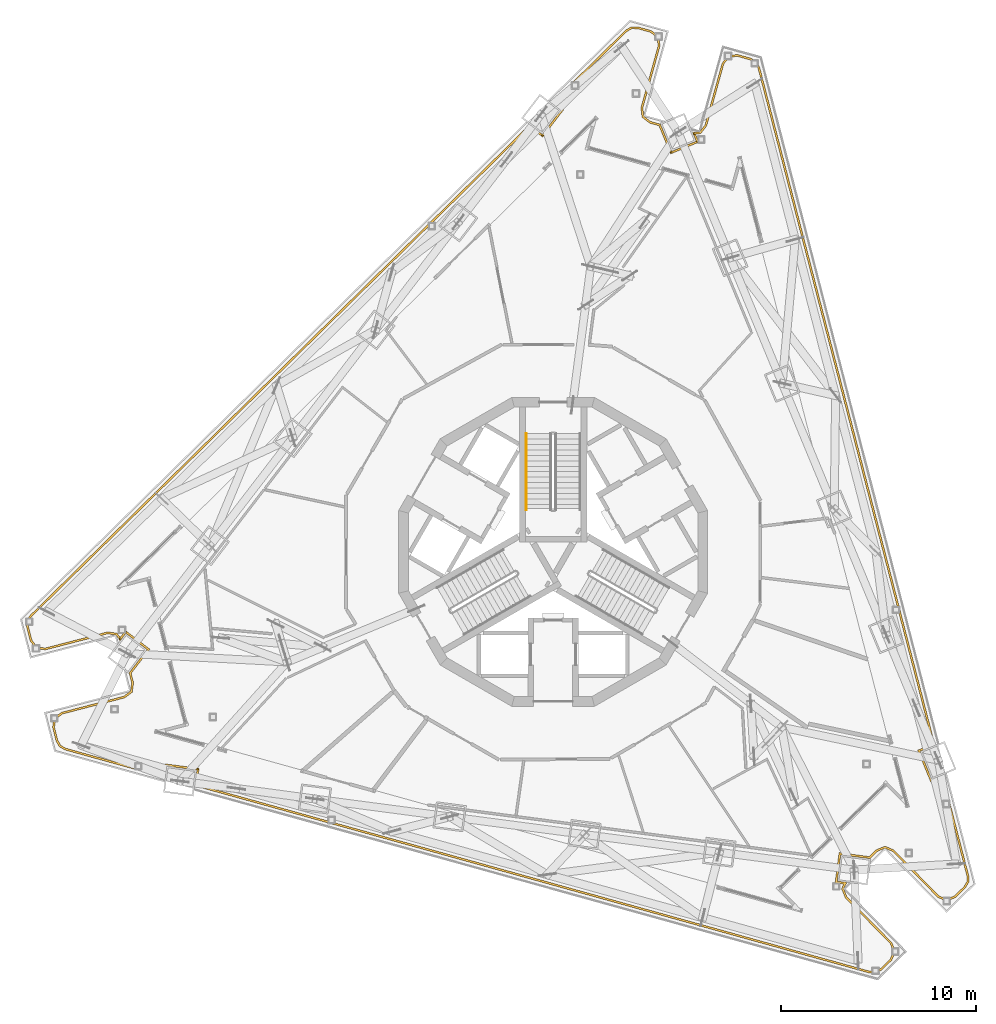
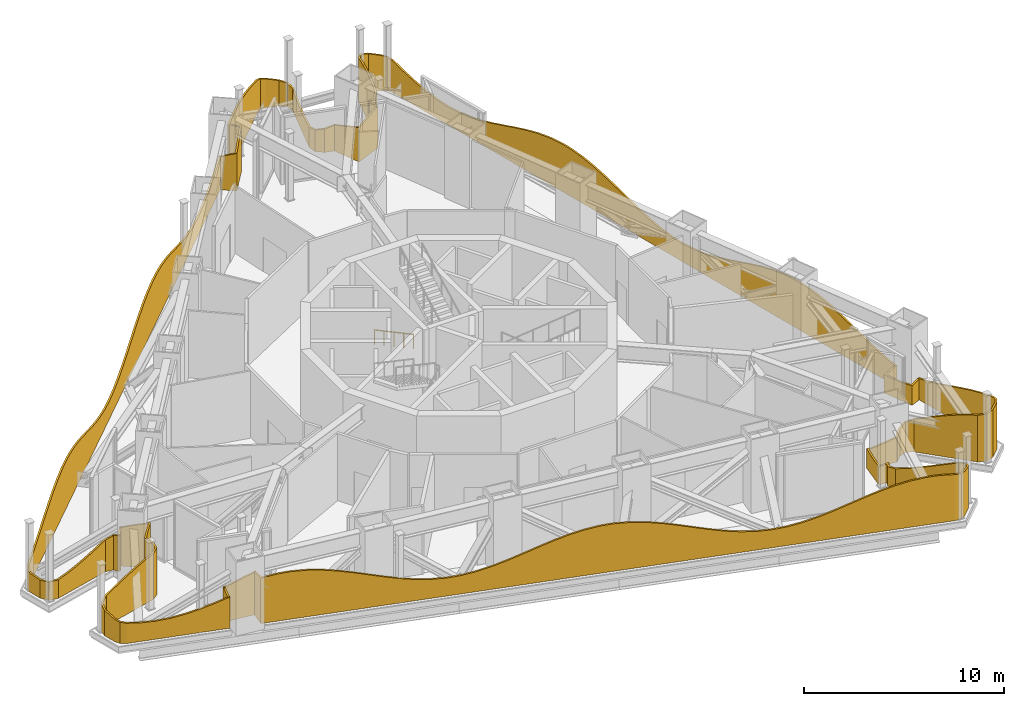
# One storey, part 19 of 22: 2 railings.
"""IFC4 building model written with IfcOpenShell, lengths in metres."""

from ifc_helpers import new_model, si_unit, direction, frame, origin, origin_2d, place, context, subcontext, project, spatial, polyline, circle, outline, extrude, material, layer, layer_set, type_object, element, save


model = new_model("IFC4")

# Units and contexts
model_context = context("Model", 3, precision=1e-05, world=origin(), true_north=direction((0.0, 1.0)))
body_context = subcontext(model_context, "Body", "Model", "MODEL_VIEW")
ifc_project = project(units=[si_unit("LENGTHUNIT", "METRE"), si_unit("AREAUNIT", "SQUARE_METRE"), si_unit("VOLUMEUNIT", "CUBIC_METRE"), si_unit("PLANEANGLEUNIT", "RADIAN"), si_unit("MASSUNIT", "GRAM", prefix="KILO")], contexts=[model_context])

# Site, building, storey
site_placement = place(None, origin())
site = spatial("IfcSite", under=ifc_project, at=site_placement, CompositionType="ELEMENT")
building_placement = place(site_placement, origin())
building = spatial("IfcBuilding", under=site, at=building_placement, Name="Trine Commons Tower", CompositionType="ELEMENT")
storey_placement = place(building_placement, frame((0.0, 0.0, 267.300048828125)))
storey = spatial("IfcBuildingStorey", under=building, at=storey_placement, Name="L70", CompositionType="ELEMENT", Elevation=267.300048828125)

# Railings
ifc_material_1 = material(Name="Stainless steel handrail", Category="steel")
railing_type_1 = type_object("IfcRailingType", Name="Stair handrail, steel 900", PredefinedType="HANDRAIL", material=ifc_material_1)
railing_1_placement = place(storey_placement, frame((78.625, 68.570556640625, 0.14990234375)))
element("IfcRailing", 1, at=railing_1_placement, inside=storey, type_object=railing_type_1, Name="L70 ST1D stair handrail 1", PredefinedType="HANDRAIL", context=body_context, shape_type="SweptSolid", body=[
    extrude(circle(Radius=0.02099609375, at=origin_2d()), frame((0.0, 0.0, 0.87890625), z_axis=(0.0, -0.881466911329, 0.472245787945), x_axis=(1.0, 0.0, 0.0)), (0.0, 0.0, 1.0), 4.447021484375),
    extrude(circle(Radius=0.01513671875, at=origin_2d()), origin(), (0.0, 0.0, 1.0), 0.85791015625),
    extrude(circle(Radius=0.01513671875, at=origin_2d()), frame((0.0, -0.97998046875, 0.52490234375)), (0.0, 0.0, 1.0), 0.85791015625),
    extrude(circle(Radius=0.01513671875, at=origin_2d()), frame((0.0, -1.9599609375, 1.050048828125)), (0.0, 0.0, 1.0), 0.85791015625),
    extrude(circle(Radius=0.01513671875, at=origin_2d()), frame((0.0, -2.93994140625, 1.5751953125)), (0.0, 0.0, 1.0), 0.85791015625),
    extrude(circle(Radius=0.01513671875, at=origin_2d()), frame((0.0, -3.919921875, 2.10009765625)), (0.0, 0.0, 1.0), 0.85791015625),
])
ifc_material_2 = material(Name="White powder-coated aluminium", Category="aluminium")
ifc_layer = layer(ifc_material_2, 0.10009765625)
ifc_layer_set = layer_set([ifc_layer], Name="White powder-coated aluminium")
railing_type_2 = type_object("IfcRailingType", Name="White balustrade band 100", PredefinedType="GUARDRAIL", material=ifc_layer_set)
railing_2_placement = place(storey_placement, origin())
element("IfcRailing", 2, at=railing_2_placement, inside=storey, type_object=railing_type_2, Name="Guard band L70", PredefinedType="GUARDRAIL", context=body_context, shape_type="SweptSolid", body=[
    extrude(outline(polyline([(0.0, 0.0), (0.928955078125, 0.0), (0.92919921875, 2.588623046875), (0.464599609375, 2.6982421875), (0.0, 2.786865234375), (0.0, 0.0)])), frame((61.629150390625, 50.49462890625, 0.0), z_axis=(0.991469493922, -0.130338952819, 0.0), x_axis=(0.130338952819, 0.991469493922, 0.0)), (0.0, 0.0, 1.0), 0.10009765625),
    extrude(outline(polyline([(0.0, 0.0), (1.771484375, 0.0), (1.771240234375, 2.07373046875), (1.180908203125, 2.270263671875), (0.59033203125, 2.453369140625), (0.0, 2.6142578125), (0.0, 0.0)])), frame((61.8369140625, 51.302734375, 0.0), z_axis=(0.130511552519, 0.991446788617, 0.0), x_axis=(-0.991446788617, 0.130511552519, 0.0)), (0.0, 0.0, 1.0), 0.10009765625),
    extrude(outline(polyline([(0.0, 0.0), (0.708984375, 0.0), (0.708984375, 1.86767578125), (0.0, 2.108154296875), (0.0, 0.0)])), frame((60.19384765625, 51.62060546875, 0.0), z_axis=(-0.991446088674, 0.13051686961, 0.0), x_axis=(-0.13051686961, -0.991446088674, 0.0)), (0.0, 0.0, 1.0), 0.10009765625),
    extrude(outline(polyline([(0.0, 0.0), (5.33837890625, 0.0), (5.33837890625, 1.232177734375), (4.57568359375, 1.13037109375), (3.88525390625, 1.099853515625), (3.81298828125, 1.100341796875), (3.050537109375, 1.144287109375), (2.287841796875, 1.2587890625), (1.525390625, 1.4345703125), (0.7626953125, 1.65673828125), (0.0, 1.9072265625), (0.0, 0.0)])), frame((60.10205078125, 50.91845703125, 0.0), z_axis=(0.267216910431, 0.963636405902, 0.0), x_axis=(-0.963636405902, 0.267216910431, 0.0)), (0.0, 0.0, 1.0), 0.10009765625),
    extrude(outline(polyline([(0.0, 0.0), (0.332763671875, 0.0), (0.332763671875, 1.2939453125), (0.0, 1.2294921875), (0.0, 0.0)])), frame((54.959716796875, 52.34423828125, 0.0), z_axis=(0.507789565516, 0.861481141496, 0.0), x_axis=(-0.861481141496, 0.507789565516, 0.0)), (0.0, 0.0, 1.0), 0.10009765625),
    extrude(outline(polyline([(0.0, 0.0), (0.33203125, 0.0), (0.332275390625, 1.3623046875), (0.0, 1.287841796875), (0.0, 0.0)])), frame((54.67431640625, 52.512451171875, 0.0), z_axis=(0.870316303932, 0.492493178745, 0.0), x_axis=(-0.492493178745, 0.870316303932, 0.0)), (0.0, 0.0, 1.0), 0.10009765625),
    extrude(outline(polyline([(0.0, 0.0), (0.720458984375, 0.0), (0.720703125, 1.55224609375), (0.0, 1.358642578125), (0.0, 0.0)])), frame((54.511474609375, 52.800048828125, 0.0), z_axis=(0.968136997001, 0.250421155332, 0.0), x_axis=(-0.250421155332, 0.968136997001, 0.0)), (0.0, 0.0, 1.0), 0.10009765625),
    extrude(outline(polyline([(0.0, 0.0), (0.491455078125, 0.0), (0.4912109375, 1.69677734375), (0.0, 1.545654296875), (0.0, 0.0)])), frame((54.331298828125, 53.49560546875, 0.0), z_axis=(0.990274770547, -0.1391254068, 0.0), x_axis=(0.1391254068, 0.990274770547, 0.0)), (0.0, 0.0, 1.0), 0.10009765625),
    extrude(outline(polyline([(0.0, 0.0), (0.49169921875, 0.0), (0.491455078125, 1.843994140625), (0.0, 1.68310546875), (0.0, 0.0)])), frame((54.39892578125, 53.98095703125, 0.0), z_axis=(0.601905322033, -0.798567456955, 0.0), x_axis=(0.798567456955, 0.601905322033, 0.0)), (0.0, 0.0, 1.0), 0.10009765625),
    extrude(outline(polyline([(0.0, 0.0), (3.321533203125, 0.0), (3.32177734375, 2.79052734375), (2.657470703125, 2.658935546875), (1.992919921875, 2.486083984375), (1.32861328125, 2.28271484375), (0.664306640625, 2.061767578125), (0.0, 1.8369140625), (0.0, 0.0)])), frame((54.7900390625, 54.27587890625, 0.0), z_axis=(0.250344811723, -0.968156741051, 0.0), x_axis=(0.968156741051, 0.250344811723, 0.0)), (0.0, 0.0, 1.0), 0.10009765625),
    extrude(outline(polyline([(0.0, 0.0), (0.491455078125, 0.0), (0.491455078125, 2.85400390625), (0.0, 2.786865234375), (0.0, 0.0)])), frame((57.969482421875, 55.09033203125, 0.0), z_axis=(0.601588479478, -0.798806172585, 0.0), x_axis=(0.798806172585, 0.601588479478, 0.0)), (0.0, 0.0, 1.0), 0.10009765625),
    extrude(outline(polyline([(0.0, 0.0), (0.491455078125, 0.0), (0.491455078125, 2.8896484375), (0.0, 2.849365234375), (0.0, 0.0)])), frame((58.322021484375, 55.319091796875, 0.0), z_axis=(0.990274770547, -0.1391254068, 0.0), x_axis=(0.1391254068, 0.990274770547, 0.0)), (0.0, 0.0, 1.0), 0.10009765625),
    extrude(outline(polyline([(0.0, 0.0), (0.546875, 0.0), (0.546875, 2.89892578125), (0.422607421875, 2.89990234375), (0.0, 2.888671875), (0.0, 0.0)])), frame((58.392822265625, 55.764892578125, 0.0), z_axis=(0.968141314847, 0.250404461793, 0.0), x_axis=(-0.250404461793, 0.968141314847, 0.0)), (0.0, 0.0, 1.0), 0.10009765625),
    extrude(outline(polyline([(0.0, 0.0), (1.616455078125, 0.0), (1.616455078125, 2.72265625), (1.07763671875, 2.816162109375), (0.538818359375, 2.8759765625), (0.0, 2.899658203125), (0.0, 0.0)])), frame((58.255615234375, 56.29248046875, 0.0), z_axis=(0.793409408461, -0.608688352579, 0.0), x_axis=(0.608688352579, 0.793409408461, 0.0)), (0.0, 0.0, 1.0), 0.10009765625),
    extrude(outline(polyline([(0.0, 0.0), (1.571533203125, 0.0), (1.571533203125, 2.331787109375), (0.785888671875, 2.561767578125), (0.0, 2.742919921875), (0.0, 0.0)])), frame((59.2578125, 57.432861328125, 0.0), z_axis=(0.608786954786, 0.793333753021, 0.0), x_axis=(-0.793333753021, 0.608786954786, 0.0)), (0.0, 0.0, 1.0), 0.10009765625),
    extrude(outline(polyline([(0.0, 0.0), (0.578369140625, 0.0), (0.578369140625, 2.17626953125), (0.0, 2.363525390625), (0.0, 0.0)])), frame((58.15234375, 58.408203125, 0.0), z_axis=(-0.793470479342, 0.608608740006, 0.0), x_axis=(-0.608608740006, -0.793470479342, 0.0)), (0.0, 0.0, 1.0), 0.10009765625),
    extrude(outline(polyline([(0.0, 0.0), (0.40283203125, 0.0), (0.403076171875, 2.08544921875), (0.0, 2.220458984375), (0.0, 0.0)])), frame((57.80078125, 57.94970703125, 0.0), z_axis=(0.7986891672, 0.6017438111, 0.0), x_axis=(-0.6017438111, 0.7986891672, 0.0)), (0.0, 0.0, 1.0), 0.10009765625),
    extrude(outline(polyline([(0.0, 0.0), (0.491943359375, 0.0), (0.49169921875, 1.933349609375), (0.0, 2.10009765625), (0.0, 0.0)])), frame((57.625732421875, 58.231689453125, 0.0), z_axis=(0.138988628372, 0.990293977152, 0.0), x_axis=(-0.990293977152, 0.138988628372, 0.0)), (0.0, 0.0, 1.0), 0.10009765625),
    extrude(outline(polyline([(0.0, 0.0), (3.32177734375, 0.0), (3.32177734375, 1.1279296875), (2.657470703125, 1.21044921875), (1.9931640625, 1.342529296875), (1.32861328125, 1.515869140625), (0.664306640625, 1.719482421875), (0.0, 1.9404296875), (0.0, 0.0)])), frame((57.179443359375, 58.302490234375, 0.0), z_axis=(-0.250326998261, 0.96816134706, 0.0), x_axis=(-0.96816134706, -0.250326998261, 0.0)), (0.0, 0.0, 1.0), 0.10009765625),
    extrude(outline(polyline([(0.0, 0.0), (0.4921875, 0.0), (0.491943359375, 1.102294921875), (0.0, 1.1298828125), (0.0, 0.0)])), frame((53.96533203125, 57.470947265625, 0.0), z_axis=(0.139406857664, 0.990235188244, 0.0), x_axis=(-0.990235188244, 0.139406857664, 0.0)), (0.0, 0.0, 1.0), 0.10009765625),
    extrude(outline(polyline([(0.0, 0.0), (0.49169921875, 0.0), (0.49169921875, 1.104248046875), (0.235107421875, 1.099853515625), (0.0, 1.103515625), (0.0, 0.0)])), frame((53.4794921875, 57.5390625, 0.0), z_axis=(0.798567456955, 0.601905322033, 0.0), x_axis=(-0.601905322033, 0.798567456955, 0.0)), (0.0, 0.0, 1.0), 0.10009765625),
    extrude(outline(polyline([(0.0, 0.0), (0.719970703125, 0.0), (0.719970703125, 1.157958984375), (0.0, 1.103515625), (0.0, 0.0)])), frame((53.184814453125, 57.929931640625, 0.0), z_axis=(0.968176668381, 0.250267734243, 0.0), x_axis=(-0.250267734243, 0.968176668381, 0.0)), (0.0, 0.0, 1.0), 0.10009765625),
    extrude(outline(polyline([(0.0, 0.0), (0.33203125, 0.0), (0.33203125, 1.201904296875), (0.0, 1.156005859375), (0.0, 0.0)])), frame((53.004638671875, 58.625732421875, 0.0), z_axis=(0.999961074937, -0.008823185955, 0.0), x_axis=(0.008823185955, 0.999961074937, 0.0)), (0.0, 0.0, 1.0), 0.10009765625),
    extrude(outline(polyline([(0.0, 0.0), (0.33203125, 0.0), (0.332275390625, 1.254638671875), (0.0, 1.197509765625), (0.0, 0.0)])), frame((53.007080078125, 58.956298828125, 0.0), z_axis=(0.86174513793, -0.507341420795, 0.0), x_axis=(0.507341420795, 0.86174513793, 0.0)), (0.0, 0.0, 1.0), 0.10009765625),
    extrude(outline(polyline([(0.0, 0.0), (35.9130859375, 0.0), (35.9130859375, 2.01513671875), (35.114990234375, 1.747314453125), (34.31689453125, 1.502197265625), (33.518798828125, 1.302001953125), (32.720703125, 1.164794921875), (31.922607421875, 1.102783203125), (31.709716796875, 1.099853515625), (31.124755859375, 1.121826171875), (30.32666015625, 1.219970703125), (29.528564453125, 1.388427734375), (28.73046875, 1.612060546875), (27.932373046875, 1.87060546875), (27.13427734375, 2.140869140625), (26.336181640625, 2.3984375), (25.5380859375, 2.6201171875), (24.739990234375, 2.78564453125), (23.942138671875, 2.880615234375), (23.39208984375, 2.89990234375), (23.14404296875, 2.89599609375), (22.345947265625, 2.83056640625), (21.5478515625, 2.6904296875), (20.749755859375, 2.48779296875), (19.95166015625, 2.2412109375), (19.153564453125, 1.972900390625), (18.355712890625, 1.70703125), (17.5576171875, 1.467529296875), (16.759521484375, 1.276123046875), (15.96142578125, 1.14990234375), (15.163330078125, 1.100341796875), (15.074462890625, 1.099853515625), (14.365234375, 1.132080078125), (13.567138671875, 1.241943359375), (12.76904296875, 1.420166015625), (11.970947265625, 1.650634765625), (11.173095703125, 1.91259765625), (10.375, 2.182373046875), (9.576904296875, 2.435791015625), (8.77880859375, 2.64990234375), (7.980712890625, 2.805419921875), (7.1826171875, 2.888427734375), (6.756591796875, 2.89990234375), (6.384521484375, 2.89111328125), (5.58642578125, 2.8134765625), (4.788330078125, 2.662353515625), (3.990234375, 2.45166015625), (3.1923828125, 2.2001953125), (2.394287109375, 1.9306640625), (1.59619140625, 1.66748046875), (0.798095703125, 1.43408203125), (0.0, 1.251953125), (0.0, 0.0)])), frame((53.174560546875, 59.240966796875, 0.0), z_axis=(0.700910598714, -0.713249137827, 0.0), x_axis=(0.713249137827, 0.700910598714, 0.0)), (0.0, 0.0, 1.0), 0.10009765625),
    extrude(outline(polyline([(0.0, 0.0), (0.9296875, 0.0), (0.929443359375, 2.29541015625), (0.46484375, 2.142333984375), (0.0, 1.985107421875), (0.0, 0.0)])), frame((78.78857421875, 84.41259765625, 0.0), z_axis=(-0.608745753992, -0.793365367908, 0.0), x_axis=(0.793365367908, -0.608745753992, 0.0)), (0.0, 0.0, 1.0), 0.10009765625),
    extrude(outline(polyline([(0.0, 0.0), (1.771728515625, 0.0), (1.771728515625, 2.739990234375), (1.18115234375, 2.6083984375), (0.590576171875, 2.446533203125), (0.0, 2.2626953125), (0.0, 0.0)])), frame((79.384521484375, 83.828369140625, 0.0), z_axis=(0.793437772433, -0.608651379097, 0.0), x_axis=(0.608651379097, 0.793437772433, 0.0)), (0.0, 0.0, 1.0), 0.10009765625),
    extrude(outline(polyline([(0.0, 0.0), (0.708984375, 0.0), (0.709228515625, 2.837158203125), (0.0, 2.7197265625), (0.0, 0.0)])), frame((80.481201171875, 85.09228515625, 0.0), z_axis=(0.608778467774, 0.793340265696, 0.0), x_axis=(-0.793340265696, 0.608778467774, 0.0)), (0.0, 0.0, 1.0), 0.10009765625),
    extrude(outline(polyline([(0.0, 0.0), (5.338134765625, 0.0), (5.337890625, 1.977294921875), (4.575439453125, 2.23388671875), (3.812744140625, 2.47119140625), (3.05029296875, 2.66943359375), (2.28759765625, 2.812744140625), (1.525146484375, 2.88916015625), (1.11279296875, 2.89990234375), (0.7626953125, 2.89208984375), (0.0, 2.821533203125), (0.0, 0.0)])), frame((79.9189453125, 85.522705078125, 0.0), z_axis=(0.700905452706, -0.713254194777, 0.0), x_axis=(0.713254194777, 0.700905452706, 0.0)), (0.0, 0.0, 1.0), 0.10009765625),
    extrude(outline(polyline([(0.0, 0.0), (0.332275390625, 0.0), (0.332275390625, 1.869873046875), (0.0, 1.982421875), (0.0, 0.0)])), frame((83.72509765625, 89.26318359375, 0.0), z_axis=(0.492178281084, -0.870494422515, 0.0), x_axis=(0.870494422515, 0.492178281084, 0.0)), (0.0, 0.0, 1.0), 0.10009765625),
    extrude(outline(polyline([(0.0, 0.0), (0.33203125, 0.0), (0.331787109375, 1.768798828125), (0.0, 1.87939453125), (0.0, 0.0)])), frame((84.01318359375, 89.426513671875, 0.0), z_axis=(-0.008823185955, -0.999961074937, 0.0), x_axis=(0.999961074937, -0.008823185955, 0.0)), (0.0, 0.0, 1.0), 0.10009765625),
    extrude(outline(polyline([(0.0, 0.0), (0.72021484375, 0.0), (0.72021484375, 1.5478515625), (0.0, 1.7734375), (0.0, 0.0)])), frame((84.34375, 89.423828125, 0.0), z_axis=(-0.267101871119, -0.963668298973, 0.0), x_axis=(0.963668298973, -0.267101871119, 0.0)), (0.0, 0.0, 1.0), 0.10009765625),
    extrude(outline(polyline([(0.0, 0.0), (0.491455078125, 0.0), (0.49169921875, 1.41748046875), (0.0, 1.55419921875), (0.0, 0.0)])), frame((85.036376953125, 89.23193359375, 0.0), z_axis=(-0.615383772135, -0.788227640338, 0.0), x_axis=(0.788227640338, -0.615383772135, 0.0)), (0.0, 0.0, 1.0), 0.10009765625),
    extrude(outline(polyline([(0.0, 0.0), (0.491943359375, 0.0), (0.491943359375, 1.31005859375), (0.0, 1.428955078125), (0.0, 0.0)])), frame((85.4228515625, 88.9306640625, 0.0), z_axis=(-0.992580278002, -0.121591084055, 0.0), x_axis=(0.121591084055, -0.992580278002, 0.0)), (0.0, 0.0, 1.0), 0.10009765625),
    extrude(outline(polyline([(0.0, 0.0), (3.322265625, 0.0), (3.322265625, 1.232177734375), (2.65771484375, 1.1396484375), (1.993408203125, 1.100830078125), (1.86865234375, 1.099853515625), (1.328857421875, 1.11865234375), (0.664306640625, 1.19140625), (0.0, 1.31494140625), (0.0, 0.0)])), frame((85.48291015625, 88.444580078125, 0.0), z_axis=(-0.963640988559, 0.267200383924, 0.0), x_axis=(-0.267200383924, -0.963640988559, 0.0)), (0.0, 0.0, 1.0), 0.10009765625),
    extrude(outline(polyline([(0.0, 0.0), (0.4912109375, 0.0), (0.490966796875, 1.3271484375), (0.0, 1.228271484375), (0.0, 0.0)])), frame((84.59814453125, 85.283935546875, 0.0), z_axis=(-0.992558217068, -0.121771038148, 0.0), x_axis=(0.121771038148, -0.992558217068, 0.0)), (0.0, 0.0, 1.0), 0.10009765625),
    extrude(outline(polyline([(0.0, 0.0), (0.4912109375, 0.0), (0.4912109375, 1.4375), (0.0, 1.3173828125), (0.0, 0.0)])), frame((84.619873046875, 84.8642578125, 0.0), z_axis=(-0.615316055121, -0.788280503571, 0.0), x_axis=(0.788280503571, -0.615316055121, 0.0)), (0.0, 0.0, 1.0), 0.10009765625),
    extrude(outline(polyline([(0.0, 0.0), (0.54638671875, 0.0), (0.546630859375, 1.5869140625), (0.0, 1.431884765625), (0.0, 0.0)])), frame((84.970947265625, 84.580078125, 0.0), z_axis=(-0.267159951292, -0.96365219889, 0.0), x_axis=(0.96365219889, -0.267159951292, 0.0)), (0.0, 0.0, 1.0), 0.10009765625),
    extrude(outline(polyline([(0.0, 0.0), (1.615966796875, 0.0), (1.615966796875, 2.102783203125), (1.077392578125, 1.920166015625), (0.538818359375, 1.740478515625), (0.0, 1.57177734375), (0.0, 0.0)])), frame((85.496337890625, 84.434814453125, 0.0), z_axis=(-0.923875041969, -0.382694273313, 0.0), x_axis=(0.382694273313, -0.923875041969, 0.0)), (0.0, 0.0, 1.0), 0.10009765625),
    extrude(outline(polyline([(0.0, 0.0), (1.57177734375, 0.0), (1.572021484375, 2.558837890625), (0.785888671875, 2.327880859375), (0.0, 2.068359375), (0.0, 0.0)])), frame((85.983154296875, 82.99658203125, 0.0), z_axis=(0.382717601325, -0.923865378524, 0.0), x_axis=(0.923865378524, 0.382717601325, 0.0)), (0.0, 0.0, 1.0), 0.10009765625),
    extrude(outline(polyline([(0.0, 0.0), (0.57861328125, 0.0), (0.57861328125, 2.67626953125), (0.0, 2.53125), (0.0, 0.0)])), frame((87.38037109375, 83.466796875, 0.0), z_axis=(0.923898578583, 0.382637447843, 0.0), x_axis=(-0.382637447843, 0.923898578583, 0.0)), (0.0, 0.0, 1.0), 0.10009765625),
    extrude(outline(polyline([(0.0, 0.0), (0.403564453125, 0.0), (0.403564453125, 2.733154296875), (0.0, 2.645263671875), (0.0, 0.0)])), frame((87.15869140625, 84.0, 0.0), z_axis=(0.122173533458, -0.992508754481, 0.0), x_axis=(0.992508754481, 0.122173533458, 0.0)), (0.0, 0.0, 1.0), 0.10009765625),
    extrude(outline(polyline([(0.0, 0.0), (0.4912109375, 0.0), (0.4912109375, 2.810546875), (0.0, 2.724365234375), (0.0, 0.0)])), frame((87.49072265625, 84.010986328125, 0.0), z_axis=(0.78785101717, -0.615865873989, 0.0), x_axis=(0.615865873989, 0.78785101717, 0.0)), (0.0, 0.0, 1.0), 0.10009765625),
    extrude(outline(polyline([(0.0, 0.0), (3.321533203125, 0.0), (3.321533203125, 2.62890625), (2.6572265625, 2.76904296875), (1.992919921875, 2.861083984375), (1.32861328125, 2.899169921875), (1.211669921875, 2.89990234375), (0.664306640625, 2.880859375), (0.0, 2.807373046875), (0.0, 0.0)])), frame((87.77490234375, 84.362060546875, 0.0), z_axis=(0.963625243401, -0.267257161328, 0.0), x_axis=(0.267257161328, 0.963625243401, 0.0)), (0.0, 0.0, 1.0), 0.10009765625),
    extrude(outline(polyline([(0.0, 0.0), (0.491943359375, 0.0), (0.49169921875, 2.50537109375), (0.0, 2.63427734375), (0.0, 0.0)])), frame((88.661865234375, 87.56103515625, 0.0), z_axis=(0.788174844954, -0.615451390267, 0.0), x_axis=(0.615451390267, 0.788174844954, 0.0)), (0.0, 0.0, 1.0), 0.10009765625),
    extrude(outline(polyline([(0.0, 0.0), (0.491455078125, 0.0), (0.4912109375, 2.37255859375), (0.0, 2.517333984375), (0.0, 0.0)])), frame((88.963623046875, 87.94775390625, 0.0), z_axis=(0.12171099474, -0.992565581591, 0.0), x_axis=(0.992565581591, 0.12171099474, 0.0)), (0.0, 0.0, 1.0), 0.10009765625),
    extrude(outline(polyline([(0.0, 0.0), (0.72021484375, 0.0), (0.720458984375, 2.14599609375), (0.0, 2.379150390625), (0.0, 0.0)])), frame((89.449951171875, 88.0078125, 0.0), z_axis=(-0.267101871119, -0.963668298973, 0.0), x_axis=(0.963668298973, -0.267101871119, 0.0)), (0.0, 0.0, 1.0), 0.10009765625),
    extrude(outline(polyline([(0.0, 0.0), (0.332275390625, 0.0), (0.33251953125, 2.03857421875), (0.0, 2.15087890625), (0.0, 0.0)])), frame((90.142578125, 87.81591796875, 0.0), z_axis=(-0.507565735672, -0.861613036097, 0.0), x_axis=(0.861613036097, -0.507565735672, 0.0)), (0.0, 0.0, 1.0), 0.10009765625),
    extrude(outline(polyline([(0.0, 0.0), (0.332763671875, 0.0), (0.332763671875, 1.935302734375), (0.0, 2.04833984375), (0.0, 0.0)])), frame((90.42724609375, 87.6484375, 0.0), z_axis=(-0.87035774501, -0.492419938366, 0.0), x_axis=(0.492419938366, -0.87035774501, 0.0)), (0.0, 0.0, 1.0), 0.10009765625),
    extrude(outline(polyline([(0.0, 0.0), (35.91259765625, 0.0), (35.91259765625, 1.213134765625), (35.11474609375, 1.37841796875), (34.316650390625, 1.599609375), (33.5185546875, 1.85693359375), (32.720458984375, 2.127197265625), (31.92236328125, 2.385986328125), (31.12451171875, 2.60986328125), (30.326416015625, 2.77880859375), (29.5283203125, 2.877685546875), (28.93701171875, 2.89990234375), (28.730224609375, 2.897216796875), (27.93212890625, 2.8359375), (27.134033203125, 2.69921875), (26.3359375, 2.49951171875), (25.537841796875, 2.254638671875), (24.739990234375, 1.98681640625), (23.94189453125, 1.720458984375), (23.143798828125, 1.47900390625), (22.345703125, 1.28466796875), (21.547607421875, 1.154541015625), (20.74951171875, 1.10107421875), (20.619384765625, 1.099853515625), (19.951416015625, 1.12841796875), (19.153564453125, 1.234375), (18.35546875, 1.409423828125), (17.557373046875, 1.6376953125), (16.75927734375, 1.898681640625), (15.961181640625, 2.168701171875), (15.1630859375, 2.423583984375), (14.364990234375, 2.64013671875), (13.56689453125, 2.799072265625), (12.76904296875, 2.885986328125), (12.3017578125, 2.89990234375), (11.970947265625, 2.89306640625), (11.1728515625, 2.8193359375), (10.374755859375, 2.671875), (9.57666015625, 2.4638671875), (8.77880859375, 2.2138671875), (7.980712890625, 1.94482421875), (7.1826171875, 1.6806640625), (6.384521484375, 1.445068359375), (5.58642578125, 1.259765625), (4.788330078125, 1.14111328125), (3.990234375, 1.099853515625), (3.984130859375, 1.099853515625), (3.192138671875, 1.139892578125), (2.394287109375, 1.257568359375), (1.59619140625, 1.44189453125), (0.798095703125, 1.6767578125), (0.0, 1.940673828125), (0.0, 0.0)])), frame((90.59033203125, 87.36083984375, 0.0), z_axis=(-0.968148474283, -0.250376779562, 0.0), x_axis=(0.250376779562, -0.968148474283, 0.0)), (0.0, 0.0, 1.0), 0.10009765625),
    extrude(outline(polyline([(0.0, 0.0), (0.92919921875, 0.0), (0.92919921875, 1.115966796875), (0.464599609375, 1.1591796875), (0.0, 1.22802734375), (0.0, 0.0)])), frame((99.582275390625, 52.593017578125, 0.0), z_axis=(-0.382599347053, 0.923914357305, 0.0), x_axis=(-0.923914357305, -0.382599347053, 0.0)), (0.0, 0.0, 1.0), 0.10009765625),
    extrude(outline(polyline([(0.0, 0.0), (1.771240234375, 0.0), (1.771484375, 1.186279296875), (1.180908203125, 1.121337890625), (0.602294921875, 1.099853515625), (0.590576171875, 1.099853515625), (0.0, 1.123046875), (0.0, 0.0)])), frame((98.778564453125, 52.36865234375, 0.0), z_axis=(-0.923853874942, -0.382745369344, 0.0), x_axis=(0.382745369344, -0.923853874942, 0.0)), (0.0, 0.0, 1.0), 0.10009765625),
    extrude(outline(polyline([(0.0, 0.0), (0.708984375, 0.0), (0.708984375, 1.295166015625), (0.0, 1.172119140625), (0.0, 0.0)])), frame((99.324951171875, 50.786865234375, 0.0), z_axis=(0.382584967073, -0.923920312023, 0.0), x_axis=(0.923920312023, 0.382584967073, 0.0)), (0.0, 0.0, 1.0), 0.10009765625),
    extrude(outline(polyline([(0.0, 0.0), (5.338134765625, 0.0), (5.33837890625, 2.79052734375), (4.57568359375, 2.6357421875), (3.81298828125, 2.428466796875), (3.050537109375, 2.18603515625), (2.287841796875, 1.92822265625), (1.525146484375, 1.67626953125), (0.7626953125, 1.451171875), (0.0, 1.27099609375), (0.0, 0.0)])), frame((99.978759765625, 51.058349609375, 0.0), z_axis=(-0.968155130315, -0.250351040831, 0.0), x_axis=(0.250351040831, -0.968155130315, 0.0)), (0.0, 0.0, 1.0), 0.10009765625),
    extrude(outline(polyline([(0.0, 0.0), (0.33251953125, 0.0), (0.332763671875, 2.836181640625), (0.0, 2.787841796875), (0.0, 0.0)])), frame((101.315185546875, 45.89208984375, 0.0), z_axis=(-0.999961189164, 0.008810230742, 0.0), x_axis=(-0.008810230742, -0.999961189164, 0.0)), (0.0, 0.0, 1.0), 0.10009765625),
    extrude(outline(polyline([(0.0, 0.0), (0.332275390625, 0.0), (0.332275390625, 2.868896484375), (0.0, 2.832763671875), (0.0, 0.0)])), frame((101.3125, 45.56103515625, 0.0), z_axis=(-0.861423622455, 0.507887135765, 0.0), x_axis=(-0.507887135765, -0.861423622455, 0.0)), (0.0, 0.0, 1.0), 0.10009765625),
    extrude(outline(polyline([(0.0, 0.0), (0.719970703125, 0.0), (0.719970703125, 2.89990234375), (0.713134765625, 2.89990234375), (0.0, 2.867431640625), (0.0, 0.0)])), frame((101.14501953125, 45.2763671875, 0.0), z_axis=(-0.70080662354, 0.713351299433, 0.0), x_axis=(-0.713351299433, -0.70080662354, 0.0)), (0.0, 0.0, 1.0), 0.10009765625),
    extrude(outline(polyline([(0.0, 0.0), (0.4912109375, 0.0), (0.4912109375, 2.88525390625), (0.014404296875, 2.89990234375), (0.0, 2.89990234375), (0.0, 0.0)])), frame((100.63232421875, 44.7724609375, 0.0), z_axis=(-0.374816448359, 0.927099040038, 0.0), x_axis=(-0.927099040038, -0.374816448359, 0.0)), (0.0, 0.0, 1.0), 0.10009765625),
    extrude(outline(polyline([(0.0, 0.0), (0.49169921875, 0.0), (0.49169921875, 2.845458984375), (0.0, 2.887939453125), (0.0, 0.0)])), frame((100.178466796875, 44.58837890625, 0.0), z_axis=(0.390320282286, 0.920679139134, 0.0), x_axis=(-0.920679139134, 0.390320282286, 0.0)), (0.0, 0.0, 1.0), 0.10009765625),
    extrude(outline(polyline([(0.0, 0.0), (3.322021484375, 0.0), (3.322021484375, 1.977294921875), (2.657470703125, 2.201416015625), (1.9931640625, 2.412841796875), (1.328857421875, 2.5986328125), (0.664306640625, 2.74658203125), (0.0, 2.84814453125), (0.0, 0.0)])), frame((99.727294921875, 44.779296875, 0.0), z_axis=(0.713253275954, 0.700906387715, 0.0), x_axis=(-0.700906387715, 0.713253275954, 0.0)), (0.0, 0.0, 1.0), 0.10009765625),
    extrude(outline(polyline([(0.0, 0.0), (0.491455078125, 0.0), (0.491455078125, 1.818603515625), (0.0, 1.984375), (0.0, 0.0)])), frame((97.432373046875, 47.1259765625, 0.0), z_axis=(0.390498811273, 0.920603431665, 0.0), x_axis=(-0.920603431665, 0.390498811273, 0.0)), (0.0, 0.0, 1.0), 0.10009765625),
    extrude(outline(polyline([(0.0, 0.0), (0.49169921875, 0.0), (0.49169921875, 1.672607421875), (0.0, 1.8330078125), (0.0, 0.0)])), frame((97.05810546875, 47.31689453125, 0.0), z_axis=(-0.374471261225, 0.927238520833, 0.0), x_axis=(-0.927238520833, -0.374471261225, 0.0)), (0.0, 0.0, 1.0), 0.10009765625),
    extrude(outline(polyline([(0.0, 0.0), (0.547119140625, 0.0), (0.547119140625, 1.513916015625), (0.0, 1.679443359375), (0.0, 0.0)])), frame((96.636474609375, 47.1552734375, 0.0), z_axis=(-0.701056759875, 0.713105475672, 0.0), x_axis=(-0.713105475672, -0.701056759875, 0.0)), (0.0, 0.0, 1.0), 0.10009765625),
    extrude(outline(polyline([(0.0, 0.0), (1.61572265625, 0.0), (1.61572265625, 1.17431640625), (1.0771484375, 1.263671875), (0.53857421875, 1.38330078125), (0.0, 1.528564453125), (0.0, 0.0)])), frame((96.247802734375, 46.7724609375, 0.0), z_axis=(0.13056005306, 0.991440402921, 0.0), x_axis=(-0.991440402921, 0.13056005306, 0.0)), (0.0, 0.0, 1.0), 0.10009765625),
    extrude(outline(polyline([(0.0, 0.0), (1.57177734375, 0.0), (1.57177734375, 1.109619140625), (1.184814453125, 1.099853515625), (0.785888671875, 1.110107421875), (0.0, 1.1884765625), (0.0, 0.0)])), frame((94.759033203125, 47.0703125, 0.0), z_axis=(-0.991451651927, 0.130474602478, 0.0), x_axis=(-0.130474602478, -0.991451651927, 0.0)), (0.0, 0.0, 1.0), 0.10009765625),
    extrude(outline(polyline([(0.0, 0.0), (0.578369140625, 0.0), (0.578369140625, 1.1474609375), (0.0, 1.105224609375), (0.0, 0.0)])), frame((94.467529296875, 45.625244140625, 0.0), z_axis=(-0.13083662086, -0.991403943225, 0.0), x_axis=(0.991403943225, -0.13083662086, 0.0)), (0.0, 0.0, 1.0), 0.10009765625),
    extrude(outline(polyline([(0.0, 0.0), (0.403076171875, 0.0), (0.4033203125, 1.18115234375), (0.0, 1.134033203125), (0.0, 0.0)])), frame((95.04052734375, 45.55029296875, 0.0), z_axis=(-0.920548787389, 0.390627610438, 0.0), x_axis=(-0.390627610438, -0.920548787389, 0.0)), (0.0, 0.0, 1.0), 0.10009765625),
    extrude(outline(polyline([(0.0, 0.0), (0.49169921875, 0.0), (0.49169921875, 1.256103515625), (0.0, 1.17529296875), (0.0, 0.0)])), frame((94.8837890625, 45.25732421875, 0.0), z_axis=(-0.927238520833, -0.374471261225, 0.0), x_axis=(0.374471261225, -0.927238520833, 0.0)), (0.0, 0.0, 1.0), 0.10009765625),
    extrude(outline(polyline([(0.0, 0.0), (3.322021484375, 0.0), (3.322021484375, 2.2431640625), (2.65771484375, 2.020263671875), (1.9931640625, 1.796142578125), (1.328857421875, 1.5849609375), (0.664306640625, 1.399658203125), (0.0, 1.251953125), (0.0, 0.0)])), frame((95.04541015625, 44.835693359375, 0.0), z_axis=(-0.713253275954, -0.700906387715, 0.0), x_axis=(0.700906387715, -0.713253275954, 0.0)), (0.0, 0.0, 1.0), 0.10009765625),
    extrude(outline(polyline([(0.0, 0.0), (0.4921875, 0.0), (0.4921875, 2.392333984375), (0.0, 2.23583984375), (0.0, 0.0)])), frame((97.37255859375, 42.468017578125, 0.0), z_axis=(-0.927205394429, -0.374553275973, 0.0), x_axis=(0.374553275973, -0.927205394429, 0.0)), (0.0, 0.0, 1.0), 0.10009765625),
    extrude(outline(polyline([(0.0, 0.0), (0.490966796875, 0.0), (0.490966796875, 2.52294921875), (0.0, 2.37890625), (0.0, 0.0)])), frame((97.556640625, 42.01318359375, 0.0), z_axis=(-0.920451704695, 0.390856315446, 0.0), x_axis=(-0.390856315446, -0.920451704695, 0.0)), (0.0, 0.0, 1.0), 0.10009765625),
    extrude(outline(polyline([(0.0, 0.0), (0.719970703125, 0.0), (0.72021484375, 2.696044921875), (0.0, 2.51708984375), (0.0, 0.0)])), frame((97.365478515625, 41.562255859375, 0.0), z_axis=(-0.70080662354, 0.713351299433, 0.0), x_axis=(-0.713351299433, -0.70080662354, 0.0)), (0.0, 0.0, 1.0), 0.10009765625),
    extrude(outline(polyline([(0.0, 0.0), (0.33203125, 0.0), (0.332275390625, 2.75927734375), (0.0, 2.69287109375), (0.0, 0.0)])), frame((96.85302734375, 41.05859375, 0.0), z_axis=(-0.492493178745, 0.870316303932, 0.0), x_axis=(-0.870316303932, -0.492493178745, 0.0)), (0.0, 0.0, 1.0), 0.10009765625),
    extrude(outline(polyline([(0.0, 0.0), (0.33251953125, 0.0), (0.33251953125, 2.8095703125), (0.0, 2.754150390625), (0.0, 0.0)])), frame((96.5654296875, 40.895263671875, 0.0), z_axis=(0.008810230742, 0.999961189164, 0.0), x_axis=(-0.999961189164, 0.008810230742, 0.0)), (0.0, 0.0, 1.0), 0.10009765625),
    extrude(outline(polyline([(0.0, 0.0), (0.74658203125, 0.0), (0.74658203125, 2.88623046875), (0.0, 2.807373046875), (0.0, 0.0)])), frame((96.23486328125, 40.89794921875, 0.0), z_axis=(0.267154742543, 0.963653642932, 0.0), x_axis=(-0.963653642932, 0.267154742543, 0.0)), (0.0, 0.0, 1.0), 0.10009765625),
    extrude(outline(polyline([(0.0, 0.0), (35.16796875, 0.0), (35.16796875, 2.771728515625), (34.36865234375, 2.87451171875), (33.737060546875, 2.89990234375), (33.5693359375, 2.898193359375), (32.770263671875, 2.840576171875), (31.970947265625, 2.70703125), (31.171630859375, 2.509521484375), (30.372314453125, 2.265869140625), (29.572998046875, 1.998291015625), (28.773681640625, 1.730712890625), (27.974609375, 1.487548828125), (27.17529296875, 1.290771484375), (26.3759765625, 1.157958984375), (25.57666015625, 1.1015625), (25.41943359375, 1.099853515625), (24.77734375, 1.126220703125), (23.978271484375, 1.22998046875), (23.178955078125, 1.403564453125), (22.379638671875, 1.630859375), (21.580322265625, 1.891357421875), (20.781005859375, 2.162109375), (19.981689453125, 2.41796875), (19.1826171875, 2.635986328125), (18.38330078125, 2.796630859375), (17.583984375, 2.885009765625), (17.101806640625, 2.89990234375), (16.78466796875, 2.8935546875), (15.985595703125, 2.821044921875), (15.186279296875, 2.674560546875), (14.386962890625, 2.466796875), (13.587646484375, 2.217041015625), (12.788330078125, 1.947509765625), (11.989013671875, 1.6826171875), (11.189697265625, 1.446533203125), (10.390380859375, 1.2607421875), (9.59130859375, 1.141357421875), (8.7919921875, 1.099853515625), (8.7841796875, 1.099853515625), (7.99267578125, 1.139892578125), (7.193603515625, 1.257568359375), (6.394287109375, 1.4423828125), (5.594970703125, 1.677734375), (4.795654296875, 1.942138671875), (3.996337890625, 2.211669921875), (3.197021484375, 2.462158203125), (2.397705078125, 2.6708984375), (1.598388671875, 2.81884765625), (0.79931640625, 2.892822265625), (0.46630859375, 2.89990234375), (0.0, 2.885986328125), (0.0, 0.0)])), frame((95.516845703125, 41.09716796875, 0.0), z_axis=(0.26723101022, 0.963632495912, 0.0), x_axis=(-0.963632495912, 0.26723101022, 0.0)), (0.0, 0.0, 1.0), 0.10009765625),
])

save(model, "model.ifc")
